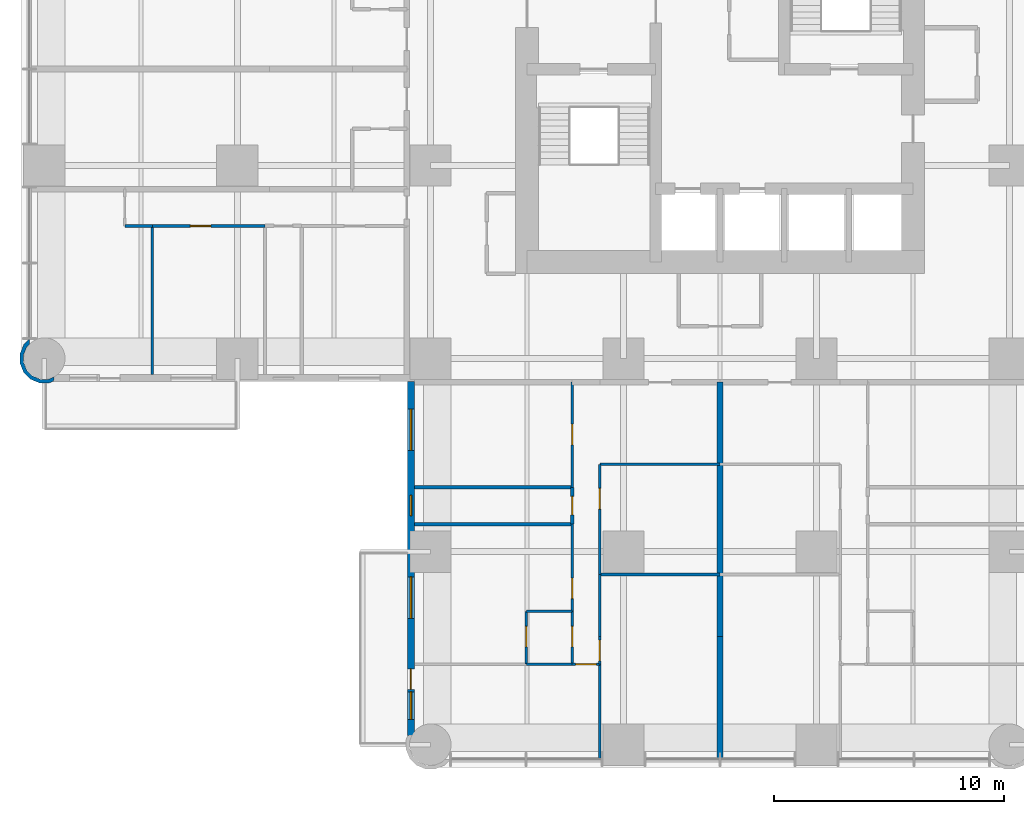
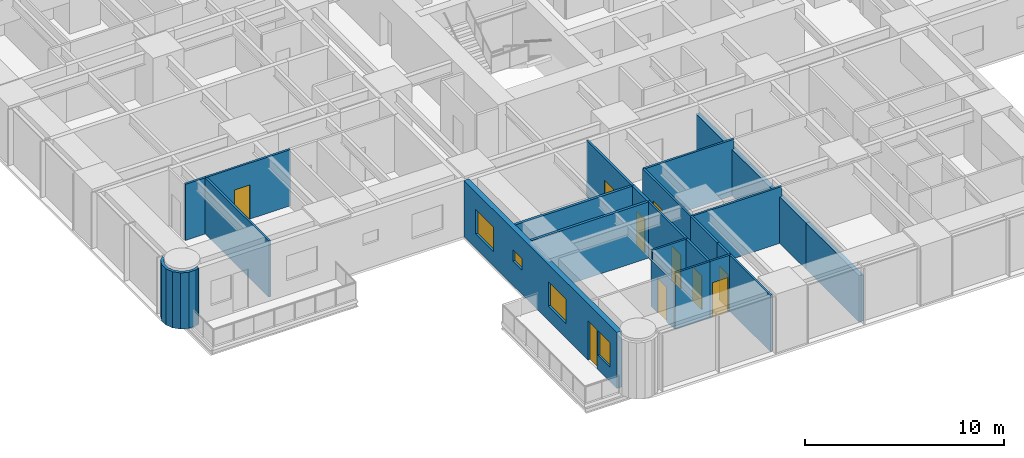
# One storey, part 7 of 17: 25 walls, 10 doors, 4 windows, 14 openings.
"""IFC4 building model written with IfcOpenShell, lengths in metres."""

from ifc_helpers import new_model, si_unit, direction, frame, frame_2d, origin, place, context, subcontext, project, spatial, polyline, rectangle, outline, extrude, material, layer, layer_set, type_object, element, fill, save


model = new_model("IFC4")

# Units and contexts
model_context = context("Model", 3, precision=1e-05, world=origin(), true_north=direction((0.0, 1.0)))
body_context = subcontext(model_context, "Body", "Model", "MODEL_VIEW")
ifc_project = project(units=[si_unit("LENGTHUNIT", "METRE"), si_unit("AREAUNIT", "SQUARE_METRE"), si_unit("VOLUMEUNIT", "CUBIC_METRE"), si_unit("PLANEANGLEUNIT", "RADIAN"), si_unit("MASSUNIT", "GRAM", prefix="KILO")], contexts=[model_context])

# Site, building, storey
site_placement = place(None, origin())
site = spatial("IfcSite", under=ifc_project, at=site_placement, CompositionType="ELEMENT")
building_placement = place(site_placement, origin())
building = spatial("IfcBuilding", under=site, at=building_placement, Name="Torre Alcanfor", CompositionType="ELEMENT")
storey_placement = place(building_placement, frame((0.0, 0.0, 84.89990234375)))
storey = spatial("IfcBuildingStorey", under=building, at=storey_placement, Name="L21", CompositionType="ELEMENT", Elevation=84.89990234375)

# Walls
ifc_material_1 = material(Name="Gypsum board on steel studs", Category="steel")
ifc_layer_1 = layer(ifc_material_1, 0.1201171875)
ifc_layer_set_1 = layer_set([ifc_layer_1], Name="Apartment partition 120")
wall_type_1 = type_object("IfcWallType", Name="Apartment partition 120", PredefinedType="PARTITIONING", material=ifc_layer_set_1)
for number, where, z_axis, x_axis, name in (
    (1, (29.39990234375, 12.199951171875, 0.0), (0.0, 0.0, 1.0), (-1.0, 0.0, 0.0), "Partition L21-S2-ZAG / L21-S2-FAMILY"),
    (2, (29.39990234375, 7.39990234375, 0.0), (0.0, 0.0, 1.0), (-1.0, 0.0, 0.0), "Partition L21-S2-FAMILY / L21-S2-KITCHEN"),
):
    element("IfcWall", number, at=place(storey_placement, frame(where, z_axis=z_axis, x_axis=x_axis)), inside=storey, type_object=wall_type_1, Name=name, PredefinedType="PARTITIONING", context=body_context, shape_type="SweptSolid", body=[
        extrude(rectangle(XDim=5.22900390625, YDim=0.1201171875, at=frame_2d((2.614501953125, 0.0))), origin(), (0.0, 0.0, 1.0), 3.4501953125),
    ])

# Wall, opening, door
wall_1_placement = place(storey_placement, frame((24.1708984375, 7.39990234375, 0.0), z_axis=(0.0, 0.0, 1.0), x_axis=(0.0, 1.0, 0.0)))
wall_1 = element("IfcWall", 3, at=wall_1_placement, inside=storey, type_object=wall_type_1, Name="Partition L21-S2-FAMILY / L21-S2-HALL", PredefinedType="PARTITIONING", context=body_context, shape_type="SweptSolid", body=[
    extrude(rectangle(XDim=4.800048828125, YDim=0.1201171875, at=frame_2d((2.39990234375, 0.0))), origin(), (0.0, 0.0, 1.0), 3.4501953125),
])
opening_1_placement = place(wall_1_placement, frame((2.85009765625, 0.0, 0.0)))
opening_1 = element("IfcOpeningElement", 4, at=opening_1_placement, cuts=wall_1, Name="Opening D-R1", PredefinedType="OPENING", context=body_context, shape_type="SweptSolid", body=[
    extrude(rectangle(XDim=0.89990234375, YDim=2.10009765625, at=frame_2d((0.449951171875, 1.050048828125))), frame((0.0, 0.070068359375, 0.0), z_axis=(0.0, -1.0, 0.0), x_axis=(1.0, 0.0, 0.0)), (0.0, 0.0, 1.0), 0.14013671875),
])
ifc_material_2 = material(Name="Timber", Category="wood")
door_type_1 = type_object("IfcDoorType", Name="Internal door 900x2100", OperationType="SINGLE_SWING_LEFT", PredefinedType="DOOR", material=ifc_material_2)
door_1_placement = place(opening_1_placement, frame((0.89990234375, 0.0, 0.0), z_axis=(0.0, 0.0, 1.0), x_axis=(-1.0, 0.0, 0.0)))
door_1 = element("IfcDoor", 5, at=door_1_placement, inside=storey, type_object=door_type_1, Name="Door L21-S2 family", OperationType="SINGLE_SWING_LEFT", OverallHeight=2.10009765625, OverallWidth=0.89990234375, PredefinedType="DOOR", context=body_context, shape_type="SweptSolid", body=[
    extrude(rectangle(XDim=0.89990234375, YDim=2.10009765625, at=frame_2d((0.449951171875, 1.050048828125))), frame((0.0, 0.025146484375, 0.0), z_axis=(0.0, -1.0, 0.0), x_axis=(1.0, 0.0, 0.0)), (0.0, 0.0, 1.0), 0.050048828125),
])
fill(opening_1, door_1)

# Wall
wall_2_placement = place(storey_placement, frame((24.1708984375, 4.699951171875, 0.0), z_axis=(0.0, 0.0, 1.0), x_axis=(0.0, 1.0, 0.0)))
element("IfcWall", 6, at=wall_2_placement, inside=storey, type_object=wall_type_1, Name="Partition L21-S2-KITCHEN / L21-S2-HALL", PredefinedType="PARTITIONING", context=body_context, shape_type="SweptSolid", body=[
    extrude(rectangle(XDim=2.699951171875, YDim=0.1201171875, at=frame_2d((1.35009765625, 0.0))), origin(), (0.0, 0.0, 1.0), 3.4501953125),
])

# Wall, opening, door
wall_3_placement = place(storey_placement, frame((24.1708984375, 3.5, 0.0), z_axis=(0.0, 0.0, 1.0), x_axis=(0.0, 1.0, 0.0)))
wall_3 = element("IfcWall", 7, at=wall_3_placement, inside=storey, type_object=wall_type_1, Name="Partition L21-S2-LIVING / L21-S2-HALL", PredefinedType="PARTITIONING", context=body_context, shape_type="SweptSolid", body=[
    extrude(rectangle(XDim=1.199951171875, YDim=0.1201171875, at=frame_2d((0.60009765625, 0.0))), origin(), (0.0, 0.0, 1.0), 3.4501953125),
])
opening_2_placement = place(wall_3_placement, frame((0.14990234375, 0.0, 0.0)))
opening_2 = element("IfcOpeningElement", 8, at=opening_2_placement, cuts=wall_3, Name="Opening D-R1", PredefinedType="OPENING", context=body_context, shape_type="SweptSolid", body=[
    extrude(rectangle(XDim=0.89990234375, YDim=2.10009765625, at=frame_2d((0.449951171875, 1.050048828125))), frame((0.0, 0.070068359375, 0.0), z_axis=(0.0, -1.0, 0.0), x_axis=(1.0, 0.0, 0.0)), (0.0, 0.0, 1.0), 0.14013671875),
])
door_2_placement = place(opening_2_placement, frame((0.89990234375, 0.0, 0.0), z_axis=(0.0, 0.0, 1.0), x_axis=(-1.0, 0.0, 0.0)))
door_2 = element("IfcDoor", 9, at=door_2_placement, inside=storey, type_object=door_type_1, Name="Door L21-S2 living", OperationType="SINGLE_SWING_LEFT", OverallHeight=2.10009765625, OverallWidth=0.89990234375, PredefinedType="DOOR", context=body_context, shape_type="SweptSolid", body=[
    extrude(rectangle(XDim=0.89990234375, YDim=2.10009765625, at=frame_2d((0.449951171875, 1.050048828125))), frame((0.0, 0.025146484375, 0.0), z_axis=(0.0, -1.0, 0.0), x_axis=(1.0, 0.0, 0.0)), (0.0, 0.0, 1.0), 0.050048828125),
])
fill(opening_2, door_2)

# Wall
wall_4_placement = place(storey_placement, frame((24.1708984375, -0.64990234375, 0.0), z_axis=(0.0, 0.0, 1.0), x_axis=(0.0, 1.0, 0.0)))
element("IfcWall", 10, at=wall_4_placement, inside=storey, type_object=wall_type_1, Name="Partition L21-S2-LIVING / L21-S2-WGARD", PredefinedType="PARTITIONING", context=body_context, shape_type="SweptSolid", body=[
    extrude(rectangle(XDim=4.14990234375, YDim=0.1201171875, at=frame_2d((2.074951171875, 0.0))), origin(), (0.0, 0.0, 1.0), 3.4501953125),
])

# Wall, opening, door
wall_5_placement = place(storey_placement, frame((22.970947265625, 11.199951171875, 0.0), z_axis=(0.0, 0.0, 1.0), x_axis=(0.0, 1.0, 0.0)))
wall_5 = element("IfcWall", 11, at=wall_5_placement, inside=storey, type_object=wall_type_1, Name="Partition L21-S2-HALL / L21-S2-BED2", PredefinedType="PARTITIONING", context=body_context, shape_type="SweptSolid", body=[
    extrude(rectangle(XDim=4.574951171875, YDim=0.1201171875, at=frame_2d((2.28759765625, 0.0))), origin(), (0.0, 0.0, 1.0), 3.4501953125),
])
opening_3_placement = place(wall_5_placement, frame((1.85009765625, 0.0, 0.0)))
opening_3 = element("IfcOpeningElement", 12, at=opening_3_placement, cuts=wall_5, Name="Opening D-R1", PredefinedType="OPENING", context=body_context, shape_type="SweptSolid", body=[
    extrude(rectangle(XDim=0.89990234375, YDim=2.10009765625, at=frame_2d((0.449951171875, 1.050048828125))), frame((0.0, 0.070068359375, 0.0), z_axis=(0.0, -1.0, 0.0), x_axis=(1.0, 0.0, 0.0)), (0.0, 0.0, 1.0), 0.14013671875),
])
door_3_placement = place(opening_3_placement, origin())
door_3 = element("IfcDoor", 13, at=door_3_placement, inside=storey, type_object=door_type_1, Name="Door L21-S2 bed2", OperationType="SINGLE_SWING_RIGHT", OverallHeight=2.10009765625, OverallWidth=0.89990234375, PredefinedType="DOOR", context=body_context, shape_type="SweptSolid", body=[
    extrude(rectangle(XDim=0.89990234375, YDim=2.10009765625, at=frame_2d((0.449951171875, 1.050048828125))), frame((0.0, 0.02490234375, 0.0), z_axis=(0.0, -1.0, 0.0), x_axis=(1.0, 0.0, 0.0)), (0.0, 0.0, 1.0), 0.050048828125),
])
fill(opening_3, door_3)

wall_6_placement = place(storey_placement, frame((22.970947265625, 5.800048828125, 0.0), z_axis=(0.0, 0.0, 1.0), x_axis=(0.0, 1.0, 0.0)))
wall_6 = element("IfcWall", 14, at=wall_6_placement, inside=storey, type_object=wall_type_1, Name="Partition L21-S2-HALL / L21-S2-MASTER", PredefinedType="PARTITIONING", context=body_context, shape_type="SweptSolid", body=[
    extrude(rectangle(XDim=3.800048828125, YDim=0.1201171875, at=frame_2d((1.89990234375, 0.0))), origin(), (0.0, 0.0, 1.0), 3.4501953125),
])
opening_4_placement = place(wall_6_placement, frame((0.550048828125, 0.0, 0.0)))
opening_4 = element("IfcOpeningElement", 15, at=opening_4_placement, cuts=wall_6, Name="Opening D-R1", PredefinedType="OPENING", context=body_context, shape_type="SweptSolid", body=[
    extrude(rectangle(XDim=0.89990234375, YDim=2.10009765625, at=frame_2d((0.449951171875, 1.050048828125))), frame((0.0, 0.070068359375, 0.0), z_axis=(0.0, -1.0, 0.0), x_axis=(1.0, 0.0, 0.0)), (0.0, 0.0, 1.0), 0.14013671875),
])
door_4_placement = place(opening_4_placement, origin())
door_4 = element("IfcDoor", 16, at=door_4_placement, inside=storey, type_object=door_type_1, Name="Door L21-S2 master", OperationType="SINGLE_SWING_LEFT", OverallHeight=2.10009765625, OverallWidth=0.89990234375, PredefinedType="DOOR", context=body_context, shape_type="SweptSolid", body=[
    extrude(rectangle(XDim=0.89990234375, YDim=2.10009765625, at=frame_2d((0.449951171875, 1.050048828125))), frame((0.0, 0.02490234375, 0.0), z_axis=(0.0, -1.0, 0.0), x_axis=(1.0, 0.0, 0.0)), (0.0, 0.0, 1.0), 0.050048828125),
])
fill(opening_4, door_4)

wall_7_placement = place(storey_placement, frame((22.970947265625, 3.5, 0.0), z_axis=(0.0, 0.0, 1.0), x_axis=(0.0, 1.0, 0.0)))
wall_7 = element("IfcWall", 17, at=wall_7_placement, inside=storey, type_object=wall_type_1, Name="Partition L21-S2-HALL / L21-S2-VEST", PredefinedType="PARTITIONING", context=body_context, shape_type="SweptSolid", body=[
    extrude(rectangle(XDim=2.300048828125, YDim=0.1201171875, at=frame_2d((1.14990234375, 0.0))), origin(), (0.0, 0.0, 1.0), 3.4501953125),
])
opening_5_placement = place(wall_7_placement, frame((0.75, 0.0, 0.0)))
opening_5 = element("IfcOpeningElement", 18, at=opening_5_placement, cuts=wall_7, Name="Opening D-R1", PredefinedType="OPENING", context=body_context, shape_type="SweptSolid", body=[
    extrude(rectangle(XDim=0.89990234375, YDim=2.10009765625, at=frame_2d((0.449951171875, 1.050048828125))), frame((0.0, 0.070068359375, 0.0), z_axis=(0.0, -1.0, 0.0), x_axis=(1.0, 0.0, 0.0)), (0.0, 0.0, 1.0), 0.14013671875),
])
door_5_placement = place(opening_5_placement, origin())
door_5 = element("IfcDoor", 19, at=door_5_placement, inside=storey, type_object=door_type_1, Name="Door L21-S2 vest", OperationType="SINGLE_SWING_RIGHT", OverallHeight=2.10009765625, OverallWidth=0.89990234375, PredefinedType="DOOR", context=body_context, shape_type="SweptSolid", body=[
    extrude(rectangle(XDim=0.89990234375, YDim=2.10009765625, at=frame_2d((0.449951171875, 1.050048828125))), frame((0.0, 0.02490234375, 0.0), z_axis=(0.0, -1.0, 0.0), x_axis=(1.0, 0.0, 0.0)), (0.0, 0.0, 1.0), 0.050048828125),
])
fill(opening_5, door_5)

wall_8_placement = place(storey_placement, frame((24.1708984375, 3.5, 0.0), z_axis=(0.0, 0.0, 1.0), x_axis=(-1.0, 0.0, 0.0)))
wall_8 = element("IfcWall", 20, at=wall_8_placement, inside=storey, type_object=wall_type_1, Name="Partition L21-S2-HALL / L21-S2-WGARD", PredefinedType="PARTITIONING", context=body_context, shape_type="SweptSolid", body=[
    extrude(rectangle(XDim=1.199951171875, YDim=0.1201171875, at=frame_2d((0.60009765625, 0.0))), origin(), (0.0, 0.0, 1.0), 3.4501953125),
])
opening_6_placement = place(wall_8_placement, frame((0.15087890625, 0.0, 0.0)))
opening_6 = element("IfcOpeningElement", 21, at=opening_6_placement, cuts=wall_8, Name="Opening D-R1", PredefinedType="OPENING", context=body_context, shape_type="SweptSolid", body=[
    extrude(rectangle(XDim=0.89990234375, YDim=2.10009765625, at=frame_2d((0.449951171875, 1.050048828125))), frame((0.0, 0.070068359375, 0.0), z_axis=(0.0, -1.0, 0.0), x_axis=(1.0, 0.0, 0.0)), (0.0, 0.0, 1.0), 0.14013671875),
])
door_6_placement = place(opening_6_placement, origin())
door_6 = element("IfcDoor", 22, at=door_6_placement, inside=storey, type_object=door_type_1, Name="Door L21-S2 wgard", OperationType="SINGLE_SWING_LEFT", OverallHeight=2.10009765625, OverallWidth=0.89990234375, PredefinedType="DOOR", context=body_context, shape_type="SweptSolid", body=[
    extrude(rectangle(XDim=0.89990234375, YDim=2.10009765625, at=frame_2d((0.449951171875, 1.050048828125))), frame((0.0, 0.02490234375, 0.0), z_axis=(0.0, -1.0, 0.0), x_axis=(1.0, 0.0, 0.0)), (0.0, 0.0, 1.0), 0.050048828125),
])
fill(opening_6, door_6)

# Wall
wall_9_placement = place(storey_placement, frame((22.970947265625, 5.800048828125, 0.0), z_axis=(0.0, 0.0, 1.0), x_axis=(-1.0, 0.0, 0.0)))
element("IfcWall", 23, at=wall_9_placement, inside=storey, type_object=wall_type_1, Name="Partition L21-S2-MASTER / L21-S2-VEST", PredefinedType="PARTITIONING", context=body_context, shape_type="SweptSolid", body=[
    extrude(rectangle(XDim=2.0, YDim=0.1201171875, at=frame_2d((1.0, 0.0))), origin(), (0.0, 0.0, 1.0), 3.4501953125),
])

# Wall, opening, door
wall_10_placement = place(storey_placement, frame((20.970947265625, 5.800048828125, 0.0), z_axis=(0.0, 0.0, 1.0), x_axis=(0.0, -1.0, 0.0)))
wall_10 = element("IfcWall", 24, at=wall_10_placement, inside=storey, type_object=wall_type_1, Name="Partition L21-S2-MASTER / L21-S2-VEST", PredefinedType="PARTITIONING", context=body_context, shape_type="SweptSolid", body=[
    extrude(rectangle(XDim=2.300048828125, YDim=0.1201171875, at=frame_2d((1.14990234375, 0.0))), origin(), (0.0, 0.0, 1.0), 2.84814453125),
])
opening_7_placement = place(wall_10_placement, frame((0.64990234375, 0.0, 0.0)))
opening_7 = element("IfcOpeningElement", 25, at=opening_7_placement, cuts=wall_10, Name="Opening D-R1", PredefinedType="OPENING", context=body_context, shape_type="SweptSolid", body=[
    extrude(rectangle(XDim=0.89990234375, YDim=2.10009765625, at=frame_2d((0.449951171875, 1.050048828125))), frame((0.0, 0.070068359375, 0.0), z_axis=(0.0, -1.0, 0.0), x_axis=(1.0, 0.0, 0.0)), (0.0, 0.0, 1.0), 0.14013671875),
])
door_7_placement = place(opening_7_placement, origin())
door_7 = element("IfcDoor", 26, at=door_7_placement, inside=storey, type_object=door_type_1, Name="Door L21-S2 master", OperationType="SINGLE_SWING_LEFT", OverallHeight=2.10009765625, OverallWidth=0.89990234375, PredefinedType="DOOR", context=body_context, shape_type="SweptSolid", body=[
    extrude(rectangle(XDim=0.89990234375, YDim=2.10009765625, at=frame_2d((0.449951171875, 1.050048828125))), frame((0.0, 0.02490234375, 0.0), z_axis=(0.0, -1.0, 0.0), x_axis=(1.0, 0.0, 0.0)), (0.0, 0.0, 1.0), 0.050048828125),
])
fill(opening_7, door_7)

# Wall
wall_11_placement = place(storey_placement, frame((22.970947265625, 3.5, 0.0), z_axis=(0.0, 0.0, 1.0), x_axis=(-1.0, 0.0, 0.0)))
element("IfcWall", 27, at=wall_11_placement, inside=storey, type_object=wall_type_1, Name="Partition L21-S2-VEST / L21-S2-WGARD", PredefinedType="PARTITIONING", context=body_context, shape_type="SweptSolid", body=[
    extrude(rectangle(XDim=2.0, YDim=0.1201171875, at=frame_2d((1.0, 0.0))), origin(), (0.0, 0.0, 1.0), 3.4501953125),
])

# Wall, opening, door
wall_12_placement = place(storey_placement, frame((4.699951171875, 22.571044921875, 0.0), z_axis=(0.0, 0.0, 1.0), x_axis=(1.0, 0.0, 0.0)))
wall_12 = element("IfcWall", 28, at=wall_12_placement, inside=storey, type_object=wall_type_1, Name="Partition L21-W1B-HALL / L21-W1B-MASTER", PredefinedType="PARTITIONING", context=body_context, shape_type="SweptSolid", body=[
    extrude(rectangle(XDim=4.900146484375, YDim=0.1201171875, at=frame_2d((2.4501953125, 0.0))), origin(), (0.0, 0.0, 1.0), 3.4501953125),
])
opening_8_placement = place(wall_12_placement, frame((1.64990234375, 0.0, 0.0)))
opening_8 = element("IfcOpeningElement", 29, at=opening_8_placement, cuts=wall_12, Name="Opening D-R1", PredefinedType="OPENING", context=body_context, shape_type="SweptSolid", body=[
    extrude(rectangle(XDim=0.89990234375, YDim=2.10009765625, at=frame_2d((0.449951171875, 1.050048828125))), frame((0.0, 0.070068359375, 0.0), z_axis=(0.0, -1.0, 0.0), x_axis=(1.0, 0.0, 0.0)), (0.0, 0.0, 1.0), 0.14013671875),
])
door_8_placement = place(opening_8_placement, frame((0.89990234375, 0.0, 0.0), z_axis=(0.0, 0.0, 1.0), x_axis=(-1.0, 0.0, 0.0)))
door_8 = element("IfcDoor", 30, at=door_8_placement, inside=storey, type_object=door_type_1, Name="Door L21-W1B master", OperationType="SINGLE_SWING_RIGHT", OverallHeight=2.10009765625, OverallWidth=0.89990234375, PredefinedType="DOOR", context=body_context, shape_type="SweptSolid", body=[
    extrude(rectangle(XDim=0.89990234375, YDim=2.10009765625, at=frame_2d((0.449951171875, 1.050048828125))), frame((0.0, 0.025146484375, 0.0), z_axis=(0.0, -1.0, 0.0), x_axis=(1.0, 0.0, 0.0)), (0.0, 0.0, 1.0), 0.050048828125),
])
fill(opening_8, door_8)

# Walls
wall_13_placement = place(storey_placement, frame((3.5, 22.571044921875, 0.0), z_axis=(0.0, 0.0, 1.0), x_axis=(1.0, 0.0, 0.0)))
element("IfcWall", 31, at=wall_13_placement, inside=storey, type_object=wall_type_1, Name="Partition L21-W1B-HALL / L21-W1B-KITCHEN", PredefinedType="PARTITIONING", context=body_context, shape_type="SweptSolid", body=[
    extrude(rectangle(XDim=1.199951171875, YDim=0.1201171875, at=frame_2d((0.60009765625, 0.0))), origin(), (0.0, 0.0, 1.0), 3.4501953125),
])
wall_14_placement = place(storey_placement, frame((4.699951171875, 22.571044921875, 0.0), z_axis=(0.0, 0.0, 1.0), x_axis=(0.0, -1.0, 0.0)))
element("IfcWall", 32, at=wall_14_placement, inside=storey, type_object=wall_type_1, Name="Partition L21-W1B-MASTER / L21-W1B-KITCHEN", PredefinedType="PARTITIONING", context=body_context, shape_type="SweptSolid", body=[
    extrude(rectangle(XDim=6.470947265625, YDim=0.1201171875, at=frame_2d((3.2353515625, 0.0))), origin(), (0.0, 0.0, 1.0), 3.4501953125),
])

# Wall, openings, door, windows
ifc_material_3 = material(Name="Limestone cladding", Category="masonry")
ifc_layer_2 = layer(ifc_material_3, 0.0400390625, Name="Facing")
ifc_material_4 = material(Name="Ventilated air cavity")
ifc_layer_3 = layer(ifc_material_4, 0.02001953125, ventilated=True, Name="Ventilated joint")
ifc_material_5 = material(Name="Mineral wool insulation", Category="insulation")
ifc_layer_4 = layer(ifc_material_5, 0.10009765625, Name="Insulation")
ifc_material_6 = material(Name="Concrete f'c 35 MPa", Category="concrete")
ifc_layer_5 = layer(ifc_material_6, 0.139892578125, Name="Backing")
ifc_layer_set_2 = layer_set([ifc_layer_2, ifc_layer_3, ifc_layer_4, ifc_layer_5], Name="External wall stone-clad 300")
wall_type_2 = type_object("IfcWallType", Name="External wall stone-clad 300", PredefinedType="SOLIDWALL", material=ifc_layer_set_2)
wall_15_placement = place(storey_placement, frame((15.949951171875, 15.800048828125, 0.0), z_axis=(0.0, 0.0, 1.0), x_axis=(0.0, -1.0, 0.0)))
wall_15 = element("IfcWall", 33, at=wall_15_placement, inside=storey, type_object=wall_type_2, Name="External wall L21 4", PredefinedType="SOLIDWALL", context=body_context, shape_type="SweptSolid", body=[
    extrude(rectangle(XDim=15.400146484375, YDim=0.300048828125, at=frame_2d((7.7001953125, 0.0))), origin(), (0.0, 0.0, 1.0), 3.4501953125),
])
opening_9_placement = place(wall_15_placement, frame((1.199951171875, 0.0, 0.89990234375)))
opening_9 = element("IfcOpeningElement", 34, at=opening_9_placement, cuts=wall_15, Name="Opening W2", PredefinedType="OPENING", context=body_context, shape_type="SweptSolid", body=[
    extrude(rectangle(XDim=1.800048828125, YDim=1.5, at=frame_2d((0.89990234375, 0.75))), frame((0.0, 0.159912109375, 0.0), z_axis=(0.0, -1.0, 0.0), x_axis=(1.0, 0.0, 0.0)), (0.0, 0.0, 1.0), 0.320068359375),
])
opening_10_placement = place(wall_15_placement, frame((4.949951171875, 0.0, 1.5)))
opening_10 = element("IfcOpeningElement", 35, at=opening_10_placement, cuts=wall_15, Name="Opening W3", PredefinedType="OPENING", context=body_context, shape_type="SweptSolid", body=[
    extrude(rectangle(XDim=0.89990234375, YDim=0.699951171875, at=frame_2d((0.449951171875, 0.35009765625))), frame((0.0, 0.159912109375, 0.0), z_axis=(0.0, -1.0, 0.0), x_axis=(1.0, 0.0, 0.0)), (0.0, 0.0, 1.0), 0.320068359375),
])
opening_11_placement = place(wall_15_placement, frame((8.5, 0.0, 0.89990234375)))
opening_11 = element("IfcOpeningElement", 36, at=opening_11_placement, cuts=wall_15, Name="Opening W2", PredefinedType="OPENING", context=body_context, shape_type="SweptSolid", body=[
    extrude(rectangle(XDim=1.800048828125, YDim=1.5, at=frame_2d((0.89990234375, 0.75))), frame((0.0, 0.159912109375, 0.0), z_axis=(0.0, -1.0, 0.0), x_axis=(1.0, 0.0, 0.0)), (0.0, 0.0, 1.0), 0.320068359375),
])
opening_12_placement = place(wall_15_placement, frame((12.5, 0.0, 0.0)))
opening_12 = element("IfcOpeningElement", 37, at=opening_12_placement, cuts=wall_15, Name="Opening D-B1", PredefinedType="OPENING", context=body_context, shape_type="SweptSolid", body=[
    extrude(rectangle(XDim=0.89990234375, YDim=2.39990234375, at=frame_2d((0.449951171875, 1.199951171875))), frame((0.0, 0.159912109375, 0.0), z_axis=(0.0, -1.0, 0.0), x_axis=(1.0, 0.0, 0.0)), (0.0, 0.0, 1.0), 0.320068359375),
])
opening_13_placement = place(wall_15_placement, frame((13.5, 0.0, 0.89990234375)))
opening_13 = element("IfcOpeningElement", 38, at=opening_13_placement, cuts=wall_15, Name="Opening W4", PredefinedType="OPENING", context=body_context, shape_type="SweptSolid", body=[
    extrude(rectangle(XDim=1.199951171875, YDim=1.5, at=frame_2d((0.60009765625, 0.75))), frame((0.0, 0.159912109375, 0.0), z_axis=(0.0, -1.0, 0.0), x_axis=(1.0, 0.0, 0.0)), (0.0, 0.0, 1.0), 0.320068359375),
])
ifc_material_7 = material(Name="Aluminium and glass", Category="aluminium")
door_type_2 = type_object("IfcDoorType", Name="Balcony door glazed 900x2400", OperationType="SINGLE_SWING_LEFT", PredefinedType="DOOR", material=ifc_material_7)
door_9_placement = place(opening_12_placement, origin())
door_9 = element("IfcDoor", 39, at=door_9_placement, inside=storey, type_object=door_type_2, Name="Balcony door L21-S2", OperationType="SINGLE_SWING_LEFT", OverallHeight=2.39990234375, OverallWidth=0.89990234375, PredefinedType="DOOR", context=body_context, shape_type="SweptSolid", body=[
    extrude(rectangle(XDim=0.89990234375, YDim=2.39990234375, at=frame_2d((0.449951171875, 1.199951171875))), frame((0.0, 0.02490234375, 0.0), z_axis=(0.0, -1.0, 0.0), x_axis=(1.0, 0.0, 0.0)), (0.0, 0.0, 1.0), 0.050048828125),
])
fill(opening_12, door_9)
ifc_material_8 = material(Name="Aluminium frame with clear double glazing", Category="aluminium")
window_type_1 = type_object("IfcWindowType", Name="Window bathroom 900x700", PartitioningType="SINGLE_PANEL", PredefinedType="WINDOW", material=ifc_material_8)
window_1_placement = place(opening_10_placement, origin())
window_1 = element("IfcWindow", 40, at=window_1_placement, inside=storey, type_object=window_type_1, Name="Window W3 L21-S2", OverallHeight=0.699951171875, OverallWidth=0.89990234375, PartitioningType="SINGLE_PANEL", PredefinedType="WINDOW", context=body_context, shape_type="SweptSolid", body=[
    extrude(rectangle(XDim=0.89990234375, YDim=0.699951171875, at=frame_2d((0.449951171875, 0.35009765625))), frame((0.0, 0.030029296875, 0.0), z_axis=(0.0, -1.0, 0.0), x_axis=(1.0, 0.0, 0.0)), (0.0, 0.0, 1.0), 0.06005859375),
])
fill(opening_10, window_1)
ifc_material_9 = material(Name="Aluminium frame with clear double glazing", Category="aluminium")
window_type_2 = type_object("IfcWindowType", Name="Window bedroom 1200x1500", PartitioningType="SINGLE_PANEL", PredefinedType="WINDOW", material=ifc_material_9)
window_2_placement = place(opening_13_placement, origin())
window_2 = element("IfcWindow", 41, at=window_2_placement, inside=storey, type_object=window_type_2, Name="Window W4 L21-S2", OverallHeight=1.5, OverallWidth=1.199951171875, PartitioningType="SINGLE_PANEL", PredefinedType="WINDOW", context=body_context, shape_type="SweptSolid", body=[
    extrude(rectangle(XDim=1.199951171875, YDim=1.5, at=frame_2d((0.60009765625, 0.75))), frame((0.0, 0.030029296875, 0.0), z_axis=(0.0, -1.0, 0.0), x_axis=(1.0, 0.0, 0.0)), (0.0, 0.0, 1.0), 0.06005859375),
])
fill(opening_13, window_2)
ifc_material_10 = material(Name="Aluminium frame with clear double glazing", Category="aluminium")
window_type_3 = type_object("IfcWindowType", Name="Window bedroom 1800x1500", PartitioningType="SINGLE_PANEL", PredefinedType="WINDOW", material=ifc_material_10)
window_3_placement = place(opening_9_placement, origin())
window_3 = element("IfcWindow", 42, at=window_3_placement, inside=storey, type_object=window_type_3, Name="Window W2 L21-S2", OverallHeight=1.5, OverallWidth=1.800048828125, PartitioningType="SINGLE_PANEL", PredefinedType="WINDOW", context=body_context, shape_type="SweptSolid", body=[
    extrude(rectangle(XDim=1.800048828125, YDim=1.5, at=frame_2d((0.89990234375, 0.75))), frame((0.0, 0.030029296875, 0.0), z_axis=(0.0, -1.0, 0.0), x_axis=(1.0, 0.0, 0.0)), (0.0, 0.0, 1.0), 0.06005859375),
])
fill(opening_9, window_3)
window_4_placement = place(opening_11_placement, origin())
window_4 = element("IfcWindow", 43, at=window_4_placement, inside=storey, type_object=window_type_3, Name="Window W2 L21-S2", OverallHeight=1.5, OverallWidth=1.800048828125, PartitioningType="SINGLE_PANEL", PredefinedType="WINDOW", context=body_context, shape_type="SweptSolid", body=[
    extrude(rectangle(XDim=1.800048828125, YDim=1.5, at=frame_2d((0.89990234375, 0.75))), frame((0.0, 0.030029296875, 0.0), z_axis=(0.0, -1.0, 0.0), x_axis=(1.0, 0.0, 0.0)), (0.0, 0.0, 1.0), 0.06005859375),
])
fill(opening_11, window_4)

# Walls
ifc_material_11 = material(Name="Concrete block masonry, hollow blocks NMX-C-404 9 MPa", Category="masonry")
ifc_layer_6 = layer(ifc_material_11, 0.25)
ifc_layer_set_3 = layer_set([ifc_layer_6], Name="Party wall 250 EI 60")
wall_type_3 = type_object("IfcWallType", Name="Party wall 250 EI 60", PredefinedType="PARTITIONING", material=ifc_layer_set_3)
wall_16_placement = place(storey_placement, frame((29.39990234375, 15.77490234375, 0.0), z_axis=(0.0, 0.0, 1.0), x_axis=(0.0, -1.0, 0.0)))
element("IfcWall", 44, at=wall_16_placement, inside=storey, type_object=wall_type_3, Name="Partition L21-S1-ZAG / L21-S2-ZAG", PredefinedType="PARTITIONING", context=body_context, shape_type="SweptSolid", body=[
    extrude(rectangle(XDim=3.574951171875, YDim=0.25, at=frame_2d((1.78759765625, 0.0))), origin(), (0.0, 0.0, 1.0), 2.84814453125),
])
wall_17_placement = place(storey_placement, frame((29.39990234375, 12.199951171875, 0.0), z_axis=(0.0, 0.0, 1.0), x_axis=(0.0, -1.0, 0.0)))
element("IfcWall", 45, at=wall_17_placement, inside=storey, type_object=wall_type_3, Name="Partition L21-S1-FAMILY / L21-S2-FAMILY", PredefinedType="PARTITIONING", context=body_context, shape_type="SweptSolid", body=[
    extrude(rectangle(XDim=4.800048828125, YDim=0.25, at=frame_2d((2.39990234375, 0.0))), origin(), (0.0, 0.0, 1.0), 2.84814453125),
])
wall_18_placement = place(storey_placement, frame((29.39990234375, 7.39990234375, 0.0), z_axis=(0.0, 0.0, 1.0), x_axis=(0.0, -1.0, 0.0)))
element("IfcWall", 46, at=wall_18_placement, inside=storey, type_object=wall_type_3, Name="Partition L21-S1-KITCHEN / L21-S2-KITCHEN", PredefinedType="PARTITIONING", context=body_context, shape_type="SweptSolid", body=[
    extrude(rectangle(XDim=2.699951171875, YDim=0.25, at=frame_2d((1.35009765625, 0.0))), origin(), (0.0, 0.0, 1.0), 2.84814453125),
])
wall_19_placement = place(storey_placement, frame((29.39990234375, 4.699951171875, 0.0), z_axis=(0.0, 0.0, 1.0), x_axis=(0.0, -1.0, 0.0)))
element("IfcWall", 47, at=wall_19_placement, inside=storey, type_object=wall_type_3, Name="Partition L21-S1-LIVING / L21-S2-LIVING", PredefinedType="PARTITIONING", context=body_context, shape_type="SweptSolid", body=[
    extrude(rectangle(XDim=5.349853515625, YDim=0.25, at=frame_2d((2.6748046875, 0.0))), origin(), (0.0, 0.0, 1.0), 2.84814453125),
])
ifc_layer_7 = layer(ifc_material_3, 0.0400390625, Name="Facing")
ifc_layer_8 = layer(ifc_material_4, 0.02001953125, ventilated=True, Name="Ventilated joint")
ifc_layer_9 = layer(ifc_material_5, 0.10009765625, Name="Insulation")
ifc_layer_10 = layer(ifc_material_6, 0.139892578125, Name="Backing")
ifc_layer_set_4 = layer_set([ifc_layer_7, ifc_layer_8, ifc_layer_9, ifc_layer_10], Name="Rounded corner pier stone-clad 300")
wall_type_4 = type_object("IfcWallType", Name="Rounded corner pier stone-clad 300", PredefinedType="SOLIDWALL", material=ifc_layer_set_4)
wall_20_placement = place(storey_placement, frame((-0.610519256, 17.56659392, 0.0), z_axis=(0.0, 0.0, 1.0), x_axis=(-0.926129809145, -0.377204953059, 0.0)))
element("IfcWall", 48, at=wall_20_placement, inside=storey, type_object=wall_type_4, Name="Corner pier L21 14", PredefinedType="SOLIDWALL", context=body_context, shape_type="SweptSolid", body=[
    extrude(outline(polyline([(-0.2694320048751383, 2.0171861008885523), (-0.3700526678318482, 1.8406866495551875), (-0.10232913830325796, 1.8423628952563784), (0.22959433821660935, 1.7071732294627), (0.4846648868960458, 1.4551341488862783), (0.6237723089217844, 1.1248457008471362), (0.6256501657648526, 0.7663568996565957), (0.49046049997117414, 0.4344334231367283), (0.2387396163581813, 0.17949688931473468), (0.09014163443691028, 0.11691195088889664), (0.010851237809964043, -0.07776523799639344), (0.024417592436116662, -0.08329070117597158), (0.32956848036437986, 0.045229547111777235), (0.4801338191951393, 0.19743274075920003), (0.4990091877024963, 0.1926447125875501), (0.5075557555746872, 0.2252788612711387), (0.6260018077392729, 0.3452223941390844), (0.7850430562581303, 0.7357073014618439), (0.782472278983801, 1.15721841463542), (0.6187061231885674, 1.5460551039454697), (0.3187132761612602, 1.8424884313203629), (-0.07154552525106339, 2.0014375887862275), (-0.2401131340992967, 2.00049972024067), (-0.2694320048751383, 2.0171861008885523)])), origin(), (0.0, 0.0, 1.0), 3.4501953125),
])

# Wall, opening, door
ifc_material_12 = material(Name="Cement board on steel studs", Category="steel")
ifc_layer_11 = layer(ifc_material_12, 0.14990234375)
ifc_layer_set_5 = layer_set([ifc_layer_11], Name="Wet area partition 150")
wall_type_5 = type_object("IfcWallType", Name="Wet area partition 150", PredefinedType="PARTITIONING", material=ifc_layer_set_5)
wall_21_placement = place(storey_placement, frame((22.970947265625, 9.60009765625, 0.0), z_axis=(0.0, 0.0, 1.0), x_axis=(0.0, 1.0, 0.0)))
wall_21 = element("IfcWall", 49, at=wall_21_placement, inside=storey, type_object=wall_type_5, Name="Partition L21-S2-HALL / L21-S2-BATH1", PredefinedType="PARTITIONING", context=body_context, shape_type="SweptSolid", body=[
    extrude(rectangle(XDim=1.599853515625, YDim=0.14990234375, at=frame_2d((0.7998046875, 0.0))), origin(), (0.0, 0.0, 1.0), 3.4501953125),
])
opening_14_placement = place(wall_21_placement, frame((0.39990234375, 0.0, 0.0)))
opening_14 = element("IfcOpeningElement", 50, at=opening_14_placement, cuts=wall_21, Name="Opening D-R2", PredefinedType="OPENING", context=body_context, shape_type="SweptSolid", body=[
    extrude(rectangle(XDim=0.800048828125, YDim=2.10009765625, at=frame_2d((0.39990234375, 1.050048828125))), frame((0.0, 0.0849609375, 0.0), z_axis=(0.0, -1.0, 0.0), x_axis=(1.0, 0.0, 0.0)), (0.0, 0.0, 1.0), 0.169921875),
])
ifc_material_13 = material(Name="Timber", Category="wood")
door_type_3 = type_object("IfcDoorType", Name="Bathroom door 800x2100", OperationType="SINGLE_SWING_LEFT", PredefinedType="DOOR", material=ifc_material_13)
door_10_placement = place(opening_14_placement, origin())
door_10 = element("IfcDoor", 51, at=door_10_placement, inside=storey, type_object=door_type_3, Name="Door L21-S2 bath1", OperationType="SINGLE_SWING_LEFT", OverallHeight=2.10009765625, OverallWidth=0.800048828125, PredefinedType="DOOR", context=body_context, shape_type="SweptSolid", body=[
    extrude(rectangle(XDim=0.800048828125, YDim=2.10009765625, at=frame_2d((0.39990234375, 1.050048828125))), frame((0.0, 0.02490234375, 0.0), z_axis=(0.0, -1.0, 0.0), x_axis=(1.0, 0.0, 0.0)), (0.0, 0.0, 1.0), 0.050048828125),
])
fill(opening_14, door_10)

# Walls
for number, where, z_axis, x_axis, name in (
    (52, (22.970947265625, 11.199951171875, 0.0), (0.0, 0.0, 1.0), (-1.0, 0.0, 0.0), "Partition L21-S2-BED2 / L21-S2-BATH1"),
    (53, (22.970947265625, 9.60009765625, 0.0), (0.0, 0.0, 1.0), (-1.0, 0.0, 0.0), "Partition L21-S2-BATH1 / L21-S2-MASTER"),
):
    element("IfcWall", number, at=place(storey_placement, frame(where, z_axis=z_axis, x_axis=x_axis)), inside=storey, type_object=wall_type_5, Name=name, PredefinedType="PARTITIONING", context=body_context, shape_type="SweptSolid", body=[
        extrude(rectangle(XDim=6.870849609375, YDim=0.14990234375, at=frame_2d((3.435546875, 0.0))), origin(), (0.0, 0.0, 1.0), 3.4501953125),
    ])

save(model, "model.ifc")
